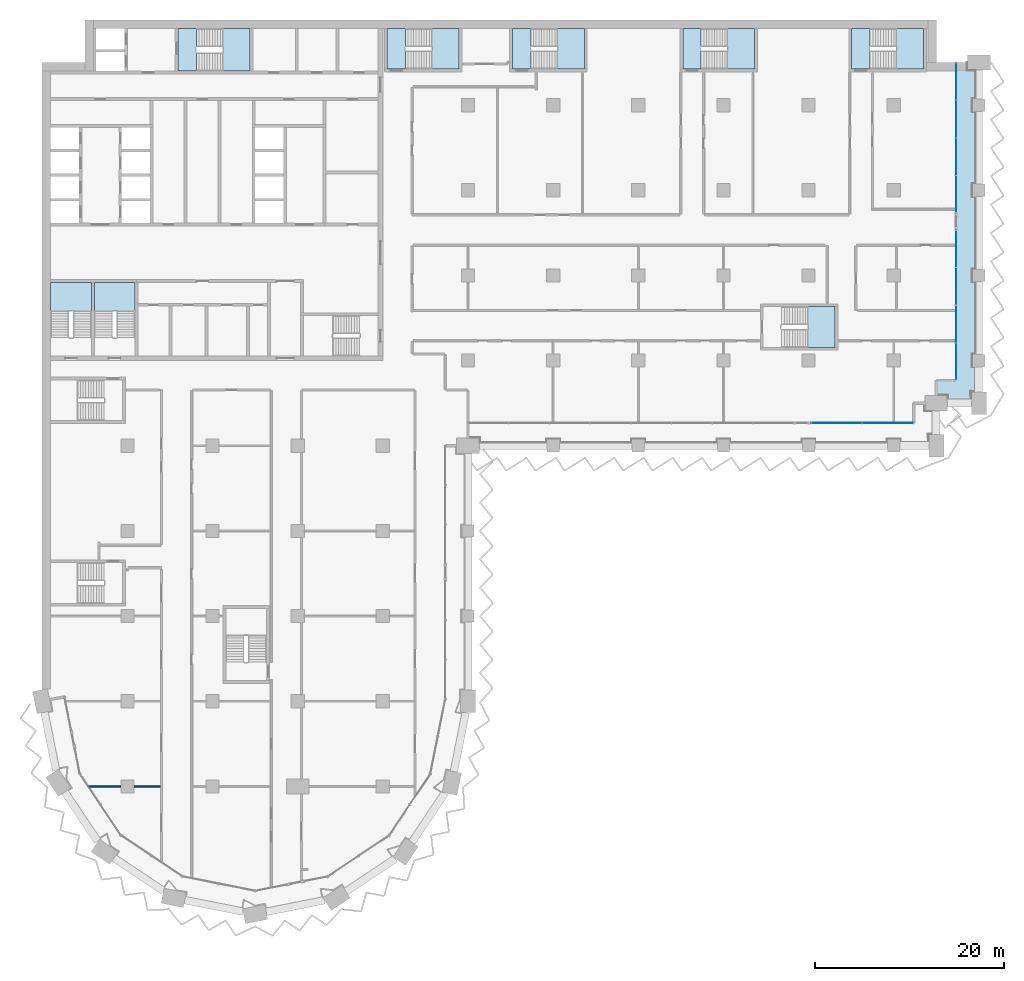
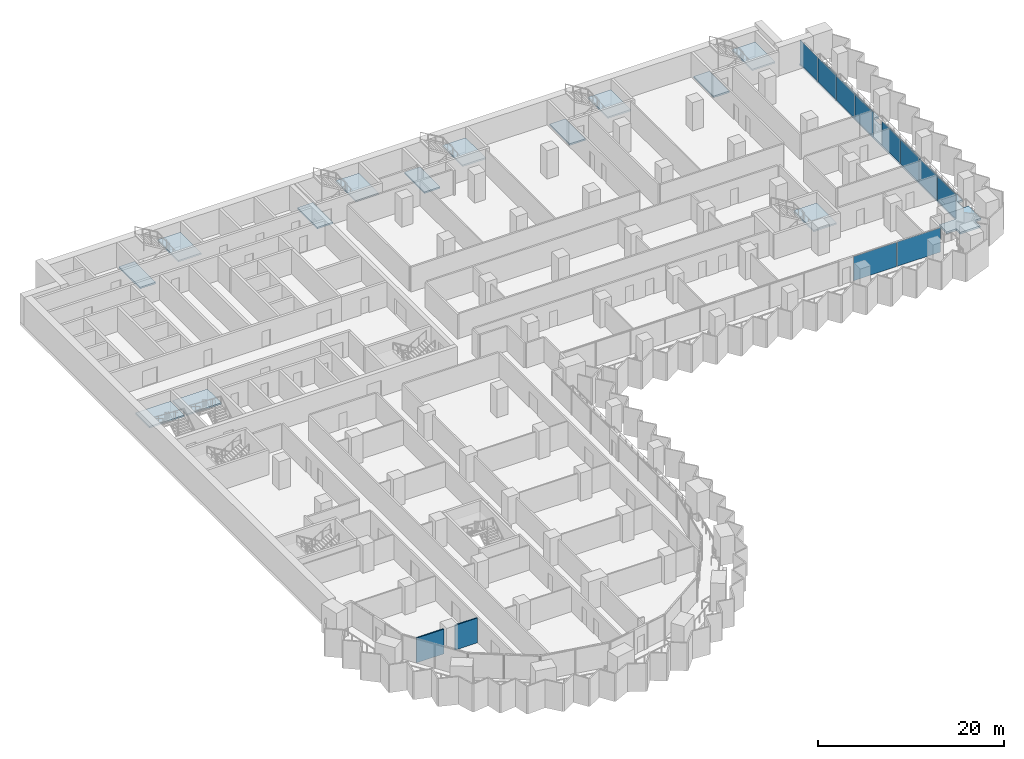
# One storey, part 9 of 28: 14 slabs, 10 plates, 2 walls, 11 elements without a shape of their own.
"""IFC4 building model written with IfcOpenShell, lengths in metres."""

from ifc_helpers import new_model, si_unit, direction, frame, frame_2d, origin, origin_2d, place, context, subcontext, project, spatial, polyline, rectangle, outline, extrude, material, layer, layer_set, type_object, element, aggregate, save


model = new_model("IFC4")

# Units and contexts
model_context = context("Model", 3, precision=1e-05, world=origin(), true_north=direction((0.0, 1.0)))
body_context = subcontext(model_context, "Body", "Model", "MODEL_VIEW")
ifc_project = project(units=[si_unit("LENGTHUNIT", "METRE"), si_unit("AREAUNIT", "SQUARE_METRE"), si_unit("VOLUMEUNIT", "CUBIC_METRE"), si_unit("PLANEANGLEUNIT", "RADIAN"), si_unit("MASSUNIT", "GRAM", prefix="KILO")], contexts=[model_context])

# Site, building, storey
site_placement = place(None, origin())
site = spatial("IfcSite", under=ifc_project, at=site_placement, CompositionType="ELEMENT")
building_placement = place(site_placement, origin())
building = spatial("IfcBuilding", under=site, at=building_placement, Name="Hunhe Ridgeline Campus", CompositionType="ELEMENT")
storey_placement = place(building_placement, frame((0.0, 0.0, 76.5)))
storey = spatial("IfcBuildingStorey", under=building, at=storey_placement, Name="L18", CompositionType="ELEMENT", Elevation=76.5)

# Curtain wall, plates
ifc_material_1 = material(Name="Aluminium 6063", Category="aluminium")
curtain_wall_type = type_object("IfcCurtainWallType", Name="Curtain wall CW-1", PredefinedType="NOTDEFINED", material=ifc_material_1)
curtain_wall_1_placement = place(storey_placement, origin())
curtain_wall_1 = element("IfcCurtainWall", 1, at=curtain_wall_1_placement, inside=storey, type_object=curtain_wall_type, Name="Curtain wall 14", PredefinedType="NOTDEFINED")
ifc_material_2 = material(Name="Low-e laminated glass", Category="glass")
ifc_layer_1 = layer(ifc_material_2, 0.028076171875)
ifc_layer_set_1 = layer_set([ifc_layer_1], Name="Curtain wall glass panel 28 low-e laminated")
plate_type = type_object("IfcPlateType", Name="Curtain wall glass panel 28 low-e laminated", PredefinedType="CURTAIN_PANEL", material=ifc_layer_set_1)
plate_1_placement = place(storey_placement, frame((83.957763671875, 56.40087890625, 0.0), z_axis=(0.0, 0.0, 1.0), x_axis=(0.999999999994, 3.58625e-06, 0.0)))
plate_1 = element("IfcPlate", 2, at=plate_1_placement, type_object=plate_type, Name="CW-1 panel 1", PredefinedType="CURTAIN_PANEL", context=body_context, shape_type="SweptSolid", body=[
    extrude(rectangle(XDim=5.347412109375, YDim=0.028076171875, at=origin_2d()), origin(), (0.0, 0.0, 1.0), 3.18994140625),
])
plate_2_placement = place(storey_placement, frame((89.365234375, 56.40087890625, 0.0), z_axis=(0.0, 0.0, 1.0), x_axis=(0.999999999994, 3.58625e-06, 0.0)))
plate_2 = element("IfcPlate", 3, at=plate_2_placement, type_object=plate_type, Name="CW-1 panel 2", PredefinedType="CURTAIN_PANEL", context=body_context, shape_type="SweptSolid", body=[
    extrude(rectangle(XDim=5.347412109375, YDim=0.028076171875, at=origin_2d()), origin(), (0.0, 0.0, 1.0), 3.18994140625),
])
aggregate(curtain_wall_1, [plate_1, plate_2])

curtain_wall_2_placement = place(storey_placement, origin())
curtain_wall_2 = element("IfcCurtainWall", 4, at=curtain_wall_2_placement, inside=storey, type_object=curtain_wall_type, Name="Curtain wall 15", PredefinedType="NOTDEFINED")
plate_3_placement = place(storey_placement, frame((96.59912109375, 62.9033203125, 0.0), z_axis=(0.0, 0.0, 1.0), x_axis=(0.0, 1.0, 0.0)))
plate_3 = element("IfcPlate", 5, at=plate_3_placement, type_object=plate_type, Name="CW-1 panel 1", PredefinedType="CURTAIN_PANEL", context=body_context, shape_type="SweptSolid", body=[
    extrude(rectangle(XDim=3.884765625, YDim=0.028076171875, at=origin_2d()), origin(), (0.0, 0.0, 1.0), 3.18994140625),
])
plate_4_placement = place(storey_placement, frame((96.59912109375, 66.86328125, 0.0), z_axis=(0.0, 0.0, 1.0), x_axis=(0.0, 1.0, 0.0)))
plate_4 = element("IfcPlate", 6, at=plate_4_placement, type_object=plate_type, Name="CW-1 panel 2", PredefinedType="CURTAIN_PANEL", context=body_context, shape_type="SweptSolid", body=[
    extrude(rectangle(XDim=3.914794921875, YDim=0.028076171875, at=origin_2d()), origin(), (0.0, 0.0, 1.0), 3.18994140625),
])
plate_5_placement = place(storey_placement, frame((96.59912109375, 70.838134765625, 0.0), z_axis=(0.0, 0.0, 1.0), x_axis=(0.0, 1.0, 0.0)))
plate_5 = element("IfcPlate", 7, at=plate_5_placement, type_object=plate_type, Name="CW-1 panel 3", PredefinedType="CURTAIN_PANEL", context=body_context, shape_type="SweptSolid", body=[
    extrude(rectangle(XDim=3.914794921875, YDim=0.028076171875, at=origin_2d()), origin(), (0.0, 0.0, 1.0), 3.18994140625),
])
plate_6_placement = place(storey_placement, frame((96.59912109375, 74.798095703125, 0.0), z_axis=(0.0, 0.0, 1.0), x_axis=(0.0, 1.0, 0.0)))
plate_6 = element("IfcPlate", 8, at=plate_6_placement, type_object=plate_type, Name="CW-1 panel 4", PredefinedType="CURTAIN_PANEL", context=body_context, shape_type="SweptSolid", body=[
    extrude(rectangle(XDim=3.884765625, YDim=0.028076171875, at=origin_2d()), origin(), (0.0, 0.0, 1.0), 3.18994140625),
])
aggregate(curtain_wall_2, [plate_3, plate_4, plate_5, plate_6])

curtain_wall_3_placement = place(storey_placement, origin())
curtain_wall_3 = element("IfcCurtainWall", 9, at=curtain_wall_3_placement, inside=storey, type_object=curtain_wall_type, Name="Curtain wall 16", PredefinedType="NOTDEFINED")
plate_7_placement = place(storey_placement, frame((96.59912109375, 80.60302734375, 0.0), z_axis=(0.0, 0.0, 1.0), x_axis=(0.0, 1.0, 0.0)))
plate_7 = element("IfcPlate", 10, at=plate_7_placement, type_object=plate_type, Name="CW-1 panel 1", PredefinedType="CURTAIN_PANEL", context=body_context, shape_type="SweptSolid", body=[
    extrude(rectangle(XDim=3.884765625, YDim=0.028076171875, at=origin_2d()), origin(), (0.0, 0.0, 1.0), 3.18994140625),
])
plate_8_placement = place(storey_placement, frame((96.59912109375, 84.562744140625, 0.0), z_axis=(0.0, 0.0, 1.0), x_axis=(0.0, 1.0, 0.0)))
plate_8 = element("IfcPlate", 11, at=plate_8_placement, type_object=plate_type, Name="CW-1 panel 2", PredefinedType="CURTAIN_PANEL", context=body_context, shape_type="SweptSolid", body=[
    extrude(rectangle(XDim=3.914794921875, YDim=0.028076171875, at=origin_2d()), origin(), (0.0, 0.0, 1.0), 3.18994140625),
])
plate_9_placement = place(storey_placement, frame((96.59912109375, 88.53759765625, 0.0), z_axis=(0.0, 0.0, 1.0), x_axis=(0.0, 1.0, 0.0)))
plate_9 = element("IfcPlate", 12, at=plate_9_placement, type_object=plate_type, Name="CW-1 panel 3", PredefinedType="CURTAIN_PANEL", context=body_context, shape_type="SweptSolid", body=[
    extrude(rectangle(XDim=3.914794921875, YDim=0.028076171875, at=origin_2d()), origin(), (0.0, 0.0, 1.0), 3.18994140625),
])
plate_10_placement = place(storey_placement, frame((96.59912109375, 92.49755859375, 0.0), z_axis=(0.0, 0.0, 1.0), x_axis=(0.0, 1.0, 0.0)))
plate_10 = element("IfcPlate", 13, at=plate_10_placement, type_object=plate_type, Name="CW-1 panel 4", PredefinedType="CURTAIN_PANEL", context=body_context, shape_type="SweptSolid", body=[
    extrude(rectangle(XDim=3.884765625, YDim=0.028076171875, at=origin_2d()), origin(), (0.0, 0.0, 1.0), 3.18994140625),
])
aggregate(curtain_wall_3, [plate_7, plate_8, plate_9, plate_10])

# Slab
ifc_material_3 = material(Name="Concrete C40", Category="concrete")
ifc_layer_2 = layer(ifc_material_3, 0.25)
ifc_layer_set_2 = layer_set([ifc_layer_2], Name="Loggia slab 250 Concrete C40")
slab_type_1 = type_object("IfcSlabType", Name="Loggia slab 250 Concrete C40", PredefinedType="FLOOR", material=ifc_layer_set_2)
slab_1_placement = place(storey_placement, frame((0.0, 0.0, -0.25)))
element("IfcSlab", 14, at=slab_1_placement, inside=storey, type_object=slab_type_1, Name="Loggia slab 3", PredefinedType="FLOOR", context=body_context, shape_type="SweptSolid", body=[
    extrude(outline(polyline([(94.5, 59.300048828125), (95.699951171875, 59.300048828125), (95.699951171875, 58.5), (98.199951171875, 58.5), (98.199951171875, 59.699951171875), (99.0, 59.699951171875), (99.0, 62.35009765625), (98.35009765625, 62.35009765625), (98.35009765625, 63.64990234375), (99.0, 63.64990234375), (99.0, 71.35009765625), (98.35009765625, 71.35009765625), (98.35009765625, 72.64990234375), (99.0, 72.64990234375), (99.0, 80.35009765625), (98.35009765625, 80.35009765625), (98.35009765625, 81.64990234375), (99.0, 81.64990234375), (99.0, 89.35009765625), (98.35009765625, 89.35009765625), (98.35009765625, 90.64990234375), (99.0, 90.64990234375), (99.0, 93.699951171875), (97.800048828125, 93.699951171875), (97.800048828125, 94.5), (96.60009765625, 94.5), (96.60009765625, 60.89990234375), (94.5, 60.89990234375), (94.5, 59.300048828125)])), origin(), (0.0, 0.0, 1.0), 0.25),
])

# Stair, slab
stair_type = type_object("IfcStairType", Name="Reinforced concrete dog-leg stair 1950 Concrete C40", PredefinedType="HALF_TURN_STAIR", material=ifc_material_3)
stair_1_placement = place(storey_placement, origin())
stair_1 = element("IfcStair", 15, at=stair_1_placement, inside=storey, type_object=stair_type, Name="L18 S1", PredefinedType="HALF_TURN_STAIR")
ifc_layer_3 = layer(ifc_material_3, 0.199951171875)
ifc_layer_set_3 = layer_set([ifc_layer_3], Name="Reinforced concrete stair landing 200 Concrete C40")
slab_type_2 = type_object("IfcSlabType", Name="Reinforced concrete stair landing 200 Concrete C40", PredefinedType="LANDING", material=ifc_layer_set_3)
slab_2_placement = place(storey_placement, frame((0.0, 0.0, 1.64990234375)))
slab_2 = element("IfcSlab", 16, at=slab_2_placement, type_object=slab_type_2, Name="ST1 landing 1", PredefinedType="LANDING", context=body_context, shape_type="SweptSolid", body=[
    extrude(outline(polyline([(19.10009765625, 93.60009765625), (21.949951171875, 93.60009765625), (21.949951171875, 98.10009765625), (19.10009765625, 98.10009765625), (19.10009765625, 93.60009765625)])), origin(), (0.0, 0.0, 1.0), 0.2001953125),
])
aggregate(stair_1, [slab_2])

# Slab
slab_3_placement = place(storey_placement, frame((0.0, 0.0, -0.199951171875)))
element("IfcSlab", 17, at=slab_3_placement, inside=storey, type_object=slab_type_2, Name="L18 stair S1 floor landing", PredefinedType="LANDING", context=body_context, shape_type="SweptSolid", body=[
    extrude(outline(polyline([(14.35009765625, 93.60009765625), (16.300048828125, 93.60009765625), (16.300048828125, 98.10009765625), (14.35009765625, 98.10009765625), (14.35009765625, 93.60009765625)])), origin(), (0.0, 0.0, 1.0), 0.199951171875),
])

# Stair, slab
stair_2_placement = place(storey_placement, origin())
stair_2 = element("IfcStair", 18, at=stair_2_placement, inside=storey, type_object=stair_type, Name="L18 S3", PredefinedType="HALF_TURN_STAIR")
slab_4_placement = place(storey_placement, frame((0.0, 0.0, 1.64990234375)))
slab_4 = element("IfcSlab", 19, at=slab_4_placement, type_object=slab_type_2, Name="ST3 landing 1", PredefinedType="LANDING", context=body_context, shape_type="SweptSolid", body=[
    extrude(outline(polyline([(5.199951171875, 68.25), (5.199951171875, 71.25), (0.89990234375, 71.25), (0.89990234375, 68.25), (5.199951171875, 68.25)])), origin(), (0.0, 0.0, 1.0), 0.2001953125),
])
aggregate(stair_2, [slab_4])

stair_3_placement = place(storey_placement, origin())
stair_3 = element("IfcStair", 20, at=stair_3_placement, inside=storey, type_object=stair_type, Name="L18 S4", PredefinedType="HALF_TURN_STAIR")
slab_5_placement = place(storey_placement, frame((0.0, 0.0, 1.64990234375)))
slab_5 = element("IfcSlab", 21, at=slab_5_placement, type_object=slab_type_2, Name="ST4 landing 1", PredefinedType="LANDING", context=body_context, shape_type="SweptSolid", body=[
    extrude(outline(polyline([(9.800048828125, 68.25), (9.800048828125, 71.25), (5.5, 71.25), (5.5, 68.25), (9.800048828125, 68.25)])), origin(), (0.0, 0.0, 1.0), 0.2001953125),
])
aggregate(stair_3, [slab_5])

stair_4_placement = place(storey_placement, origin())
stair_4 = element("IfcStair", 22, at=stair_4_placement, inside=storey, type_object=stair_type, Name="L18 E1", PredefinedType="HALF_TURN_STAIR")
slab_6_placement = place(storey_placement, frame((0.0, 0.0, 1.64990234375)))
slab_6 = element("IfcSlab", 23, at=slab_6_placement, type_object=slab_type_2, Name="ST5 landing 1", PredefinedType="LANDING", context=body_context, shape_type="SweptSolid", body=[
    extrude(outline(polyline([(41.199951171875, 93.800048828125), (44.050048828125, 93.800048828125), (44.050048828125, 98.10009765625), (41.199951171875, 98.10009765625), (41.199951171875, 93.800048828125)])), origin(), (0.0, 0.0, 1.0), 0.2001953125),
])
aggregate(stair_4, [slab_6])

# Slab
slab_7_placement = place(storey_placement, frame((0.0, 0.0, -0.199951171875)))
element("IfcSlab", 24, at=slab_7_placement, inside=storey, type_object=slab_type_2, Name="L18 stair E1 floor landing", PredefinedType="LANDING", context=body_context, shape_type="SweptSolid", body=[
    extrude(outline(polyline([(36.449951171875, 93.800048828125), (38.39990234375, 93.800048828125), (38.39990234375, 98.10009765625), (36.449951171875, 98.10009765625), (36.449951171875, 93.800048828125)])), origin(), (0.0, 0.0, 1.0), 0.199951171875),
])

# Stair, slab
stair_5_placement = place(storey_placement, origin())
stair_5 = element("IfcStair", 25, at=stair_5_placement, inside=storey, type_object=stair_type, Name="L18 E2", PredefinedType="HALF_TURN_STAIR")
slab_8_placement = place(storey_placement, frame((0.0, 0.0, 1.64990234375)))
slab_8 = element("IfcSlab", 26, at=slab_8_placement, type_object=slab_type_2, Name="ST6 landing 1", PredefinedType="LANDING", context=body_context, shape_type="SweptSolid", body=[
    extrude(outline(polyline([(54.449951171875, 93.800048828125), (57.300048828125, 93.800048828125), (57.300048828125, 98.10009765625), (54.449951171875, 98.10009765625), (54.449951171875, 93.800048828125)])), origin(), (0.0, 0.0, 1.0), 0.2001953125),
])
aggregate(stair_5, [slab_8])

# Slab
slab_9_placement = place(storey_placement, frame((0.0, 0.0, -0.199951171875)))
element("IfcSlab", 27, at=slab_9_placement, inside=storey, type_object=slab_type_2, Name="L18 stair E2 floor landing", PredefinedType="LANDING", context=body_context, shape_type="SweptSolid", body=[
    extrude(outline(polyline([(49.699951171875, 93.800048828125), (51.64990234375, 93.800048828125), (51.64990234375, 98.10009765625), (49.699951171875, 98.10009765625), (49.699951171875, 93.800048828125)])), origin(), (0.0, 0.0, 1.0), 0.199951171875),
])

# Stair, slab
stair_6_placement = place(storey_placement, origin())
stair_6 = element("IfcStair", 28, at=stair_6_placement, inside=storey, type_object=stair_type, Name="L18 E3", PredefinedType="HALF_TURN_STAIR")
slab_10_placement = place(storey_placement, frame((0.0, 0.0, 1.64990234375)))
slab_10 = element("IfcSlab", 29, at=slab_10_placement, type_object=slab_type_2, Name="ST7 landing 1", PredefinedType="LANDING", context=body_context, shape_type="SweptSolid", body=[
    extrude(outline(polyline([(72.449951171875, 93.800048828125), (75.300048828125, 93.800048828125), (75.300048828125, 98.10009765625), (72.449951171875, 98.10009765625), (72.449951171875, 93.800048828125)])), origin(), (0.0, 0.0, 1.0), 0.2001953125),
])
aggregate(stair_6, [slab_10])

# Slab
slab_11_placement = place(storey_placement, frame((0.0, 0.0, -0.199951171875)))
element("IfcSlab", 30, at=slab_11_placement, inside=storey, type_object=slab_type_2, Name="L18 stair E3 floor landing", PredefinedType="LANDING", context=body_context, shape_type="SweptSolid", body=[
    extrude(outline(polyline([(67.699951171875, 93.800048828125), (69.64990234375, 93.800048828125), (69.64990234375, 98.10009765625), (67.699951171875, 98.10009765625), (67.699951171875, 93.800048828125)])), origin(), (0.0, 0.0, 1.0), 0.199951171875),
])

# Stair, slab
stair_7_placement = place(storey_placement, origin())
stair_7 = element("IfcStair", 31, at=stair_7_placement, inside=storey, type_object=stair_type, Name="L18 E4", PredefinedType="HALF_TURN_STAIR")
slab_12_placement = place(storey_placement, frame((0.0, 0.0, 1.64990234375)))
slab_12 = element("IfcSlab", 32, at=slab_12_placement, type_object=slab_type_2, Name="ST8 landing 1", PredefinedType="LANDING", context=body_context, shape_type="SweptSolid", body=[
    extrude(outline(polyline([(90.300048828125, 93.800048828125), (93.14990234375, 93.800048828125), (93.14990234375, 98.10009765625), (90.300048828125, 98.10009765625), (90.300048828125, 93.800048828125)])), origin(), (0.0, 0.0, 1.0), 0.2001953125),
])
aggregate(stair_7, [slab_12])

# Slab
slab_13_placement = place(storey_placement, frame((0.0, 0.0, -0.199951171875)))
element("IfcSlab", 33, at=slab_13_placement, inside=storey, type_object=slab_type_2, Name="L18 stair E4 floor landing", PredefinedType="LANDING", context=body_context, shape_type="SweptSolid", body=[
    extrude(outline(polyline([(85.550048828125, 93.800048828125), (87.5, 93.800048828125), (87.5, 98.10009765625), (85.550048828125, 98.10009765625), (85.550048828125, 93.800048828125)])), origin(), (0.0, 0.0, 1.0), 0.199951171875),
])

# Stair, slab
stair_8_placement = place(storey_placement, origin())
stair_8 = element("IfcStair", 34, at=stair_8_placement, inside=storey, type_object=stair_type, Name="L18 E5", PredefinedType="HALF_TURN_STAIR")
slab_14_placement = place(storey_placement, frame((0.0, 0.0, 1.64990234375)))
slab_14 = element("IfcSlab", 35, at=slab_14_placement, type_object=slab_type_2, Name="ST10 landing 1", PredefinedType="LANDING", context=body_context, shape_type="SweptSolid", body=[
    extrude(outline(polyline([(80.949951171875, 64.39990234375), (83.800048828125, 64.39990234375), (83.800048828125, 68.699951171875), (80.949951171875, 68.699951171875), (80.949951171875, 64.39990234375)])), origin(), (0.0, 0.0, 1.0), 0.2001953125),
])
aggregate(stair_8, [slab_14])

# Walls
ifc_material_4 = material(Name="Gypsum board partition")
ifc_layer_4 = layer(ifc_material_4, 0.14990234375)
ifc_layer_set_4 = layer_set([ifc_layer_4], Name="Room partition 150 gypsum board on steel studs")
wall_type = type_object("IfcWallType", Name="Room partition 150 gypsum board on steel studs", PredefinedType="PARTITIONING", material=ifc_layer_set_4)
wall_1_placement = place(storey_placement, frame((4.925537109375, 18.0, 0.0), z_axis=(0.0, 0.0, 1.0), x_axis=(1.0, 0.0, 0.0)))
element("IfcWall", 36, at=wall_1_placement, inside=storey, type_object=wall_type, Name="F-L18-wall-002", PredefinedType="PARTITIONING", context=body_context, shape_type="SweptSolid", body=[
    extrude(rectangle(XDim=3.37451171875, YDim=0.14990234375, at=frame_2d((1.687255859375, 0.0))), origin(), (0.0, 0.0, 1.0), 3.25),
])
wall_2_placement = place(storey_placement, frame((9.699951171875, 18.0, 0.0), z_axis=(0.0, 0.0, 1.0), x_axis=(1.0, 0.0, 0.0)))
element("IfcWall", 37, at=wall_2_placement, inside=storey, type_object=wall_type, Name="F-L18-wall-003", PredefinedType="PARTITIONING", context=body_context, shape_type="SweptSolid", body=[
    extrude(rectangle(XDim=2.800048828125, YDim=0.14990234375, at=frame_2d((1.39990234375, 0.0))), origin(), (0.0, 0.0, 1.0), 3.25),
])

save(model, "model.ifc")
